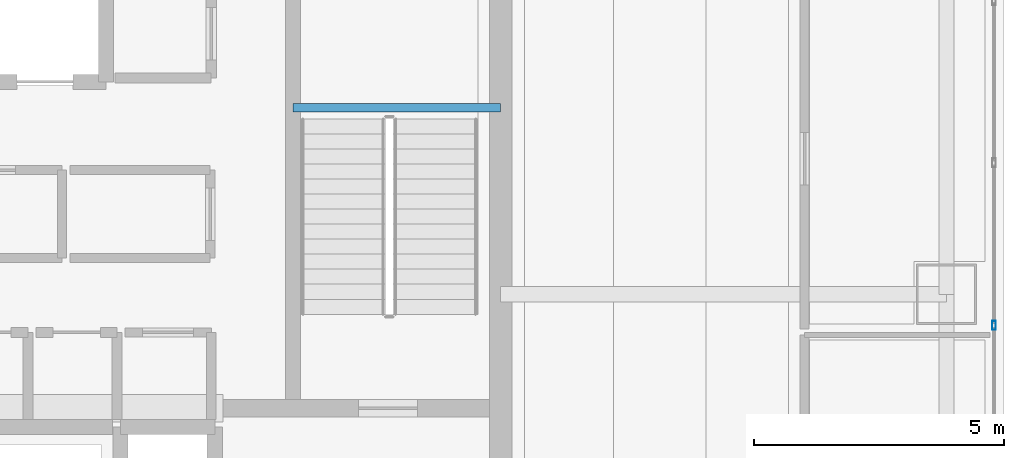
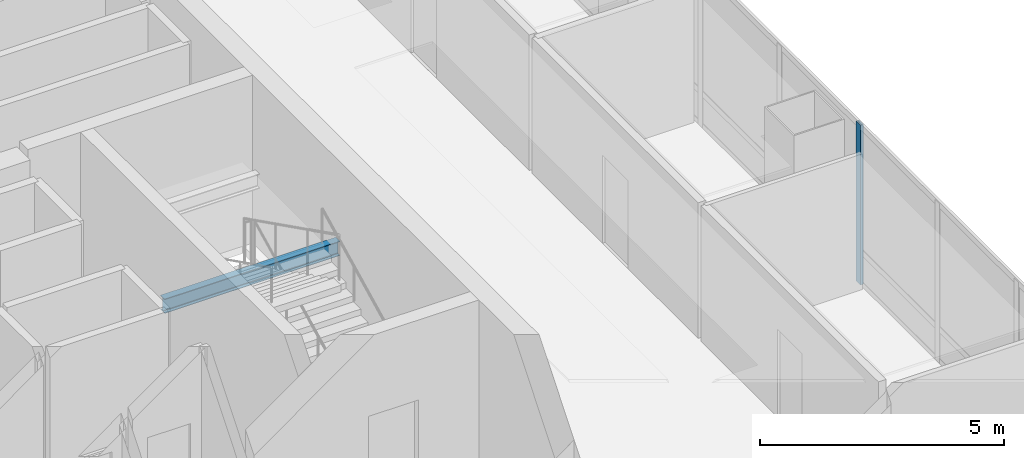
# One storey, part 20 of 43: 1 beam, 1 member, 1 element without a shape of its own.
"""IFC4 building model written with IfcOpenShell, lengths in metres."""

from ifc_helpers import new_model, si_unit, direction, frame, origin, origin_2d, place, context, subcontext, project, spatial, hollow_rectangle, i_section, extrude, material, material_profile, profile_set, type_object, element, aggregate, save


model = new_model("IFC4")

# Units and contexts
model_context = context("Model", 3, precision=1e-05, world=origin(), true_north=direction((0.0, 1.0)))
body_context = subcontext(model_context, "Body", "Model", "MODEL_VIEW")
ifc_project = project(units=[si_unit("LENGTHUNIT", "METRE"), si_unit("AREAUNIT", "SQUARE_METRE"), si_unit("VOLUMEUNIT", "CUBIC_METRE"), si_unit("PLANEANGLEUNIT", "RADIAN"), si_unit("MASSUNIT", "GRAM", prefix="KILO")], contexts=[model_context])

# Site, building, storey
site_placement = place(None, origin())
site = spatial("IfcSite", under=ifc_project, at=site_placement, CompositionType="ELEMENT")
building_placement = place(site_placement, origin())
building = spatial("IfcBuilding", under=site, at=building_placement, Name="Punatoya Terracotta Tower", CompositionType="ELEMENT")
storey_placement = place(building_placement, frame((0.0, 0.0, 321.60009765625)))
storey = spatial("IfcBuildingStorey", under=building, at=storey_placement, Name="L76", CompositionType="ELEMENT", Elevation=321.60009765625)

# Beam
ifc_material_1 = material(Name="Steel S355", Category="steel")
ifc_material_profile_1 = material_profile(ifc_material_1, i_section(OverallWidth=0.169921875, OverallDepth=0.360107421875, WebThickness=0.008056640625, FlangeThickness=0.0126953125, FilletRadius=0.01806640625, at=origin_2d()))
ifc_profile_set_1 = profile_set([ifc_material_profile_1], Name="Steel S355")
beam_type = type_object("IfcBeamType", Name="BM-SEC-360", PredefinedType="JOIST", material=ifc_profile_set_1)
beam_placement = place(storey_placement, frame((6.050048828125, 0.320068359375, 1.719970703125), z_axis=(1.0, 0.0, 0.0), x_axis=(0.0, 1.0, 0.0)))
element("IfcBeam", 1, at=beam_placement, inside=storey, type_object=beam_type, Name="BM-L76-ST-2-LD1A", PredefinedType="JOIST", context=body_context, shape_type="SweptSolid", body=[
    extrude(i_section(OverallWidth=0.169921875, OverallDepth=0.360107421875, WebThickness=0.008056640625, FlangeThickness=0.0126953125, FilletRadius=0.01806640625, at=origin_2d()), origin(), (0.0, 0.0, 1.0), 4.14990234375),
])

# Curtain wall, member
ifc_material_2 = material(Name="Aluminium 6063-T6 + Double Low-E Glass", Category="aluminium")
curtain_wall_type = type_object("IfcCurtainWallType", Name="CW-OBS", PredefinedType="NOTDEFINED", material=ifc_material_2)
curtain_wall_placement = place(storey_placement, origin())
curtain_wall = element("IfcCurtainWall", 2, at=curtain_wall_placement, inside=storey, type_object=curtain_wall_type, Name="L76 Curtain Wall CW-L76-E05-1", PredefinedType="NOTDEFINED")
ifc_material_3 = material(Name="Aluminium 6063-T6", Category="aluminium")
ifc_material_profile_2 = material_profile(ifc_material_3, hollow_rectangle(XDim=0.070068359375, YDim=0.179931640625, WallThickness=0.00390625, at=origin_2d()))
ifc_profile_set_2 = profile_set([ifc_material_profile_2], Name="Aluminium 6063-T6")
member_type = type_object("IfcMemberType", Name="CW-MUL-M3", PredefinedType="MULLION", material=ifc_profile_set_2)
member_placement = place(storey_placement, frame((20.050048828125, -4.021484375, 0.0), z_axis=(0.0, 0.0, 1.0), x_axis=(1.0, 0.0, 0.0)))
member = element("IfcMember", 3, at=member_placement, type_object=member_type, Name="CW-L76-E05-1 Mullion 05", PredefinedType="MULLION", context=body_context, shape_type="SweptSolid", body=[
    extrude(hollow_rectangle(XDim=0.070068359375, YDim=0.179931640625, WallThickness=0.00390625, at=origin_2d()), origin(), (0.0, 0.0, 1.0), 4.0),
])
aggregate(curtain_wall, [member])

save(model, "model.ifc")
